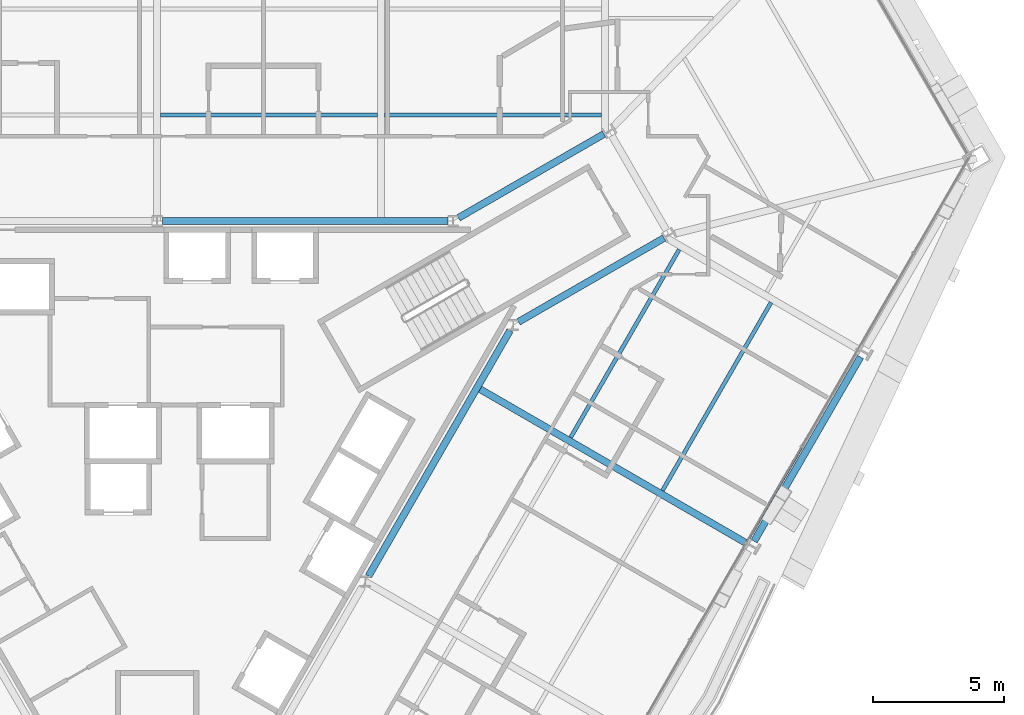
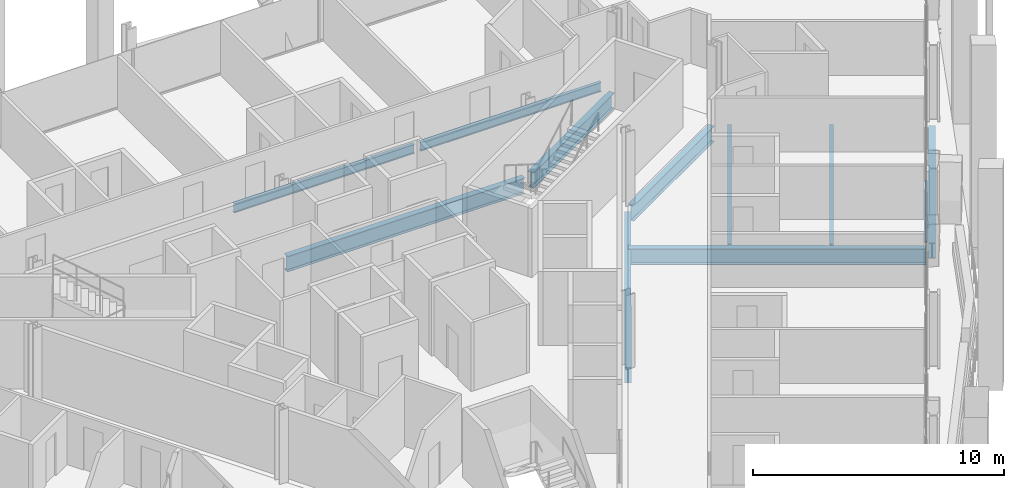
# One storey, part 9 of 21: 10 beams, 1 member, 1 element without a shape of its own.
"""IFC4 building model written with IfcOpenShell, lengths in metres."""

from ifc_helpers import new_model, si_unit, direction, frame, origin, origin_2d, place, context, subcontext, project, spatial, rectangle, i_section, extrude, material, material_profile, profile_set, type_object, element, aggregate, save


model = new_model("IFC4")

# Units and contexts
model_context = context("Model", 3, precision=1e-05, world=origin(), true_north=direction((0.0, 1.0)))
body_context = subcontext(model_context, "Body", "Model", "MODEL_VIEW")
ifc_project = project(units=[si_unit("LENGTHUNIT", "METRE"), si_unit("AREAUNIT", "SQUARE_METRE"), si_unit("VOLUMEUNIT", "CUBIC_METRE"), si_unit("PLANEANGLEUNIT", "RADIAN"), si_unit("MASSUNIT", "GRAM", prefix="KILO")], contexts=[model_context])

# Site, building, storey
site_placement = place(None, origin())
site = spatial("IfcSite", under=ifc_project, at=site_placement, CompositionType="ELEMENT")
building_placement = place(site_placement, origin())
building = spatial("IfcBuilding", under=site, at=building_placement, Name="Verrane Prism Tower", CompositionType="ELEMENT")
storey_placement = place(building_placement, frame((0.0, 0.0, 65.60009765625)))
storey = spatial("IfcBuildingStorey", under=building, at=storey_placement, Name="L14", CompositionType="ELEMENT", Elevation=65.60009765625)

# Beams
ifc_material_1 = material(Name="Steel A992", Category="steel")
ifc_material_profile_1 = material_profile(ifc_material_1, i_section(OverallWidth=0.2666015625, OverallDepth=0.7568359375, WebThickness=0.013916015625, FlangeThickness=0.019287109375, FilletRadius=0.0166015625, at=origin_2d()), Name="W30x108")
ifc_profile_set_1 = profile_set([ifc_material_profile_1], Name="Steel A992")
beam_type_1 = type_object("IfcBeamType", Name="Core ring girder W30x108", PredefinedType="BEAM", material=ifc_profile_set_1)
beam_1_placement = place(storey_placement, frame((13.833251953125, 5.337158203125, -0.628662109375), z_axis=(0.86646365882, 0.499240150574, 0.0), x_axis=(-0.499240150574, 0.86646365882, 0.0)))
element("IfcBeam", 1, at=beam_1_placement, inside=storey, type_object=beam_type_1, Name="Core ring girder L14", PredefinedType="BEAM", context=body_context, shape_type="SweptSolid", body=[
    extrude(i_section(OverallWidth=0.2666015625, OverallDepth=0.7568359375, WebThickness=0.013916015625, FlangeThickness=0.019287109375, FilletRadius=0.0166015625, at=origin_2d()), origin(), (0.0, 0.0, 1.0), 6.42822265625),
])
beam_2_placement = place(storey_placement, frame((17.10302734375, 12.526611328125, -0.628662109375), z_axis=(-0.866447229751, -0.499268663203, 0.0), x_axis=(0.499268663203, -0.866447229751, 0.0)))
element("IfcBeam", 2, at=beam_2_placement, inside=storey, type_object=beam_type_1, Name="Core ring girder L14", PredefinedType="BEAM", context=body_context, shape_type="SweptSolid", body=[
    extrude(i_section(OverallWidth=0.2666015625, OverallDepth=0.7568359375, WebThickness=0.013916015625, FlangeThickness=0.019287109375, FilletRadius=0.0166015625, at=origin_2d()), origin(), (0.0, 0.0, 1.0), 6.428466796875),
])
beam_3_placement = place(storey_placement, frame((11.126708984375, 9.199951171875, -0.628662109375), z_axis=(-1.0, 0.0, 0.0), x_axis=(0.0, -1.0, 0.0)))
element("IfcBeam", 3, at=beam_3_placement, inside=storey, type_object=beam_type_1, Name="Core ring girder L14", PredefinedType="BEAM", context=body_context, shape_type="SweptSolid", body=[
    extrude(i_section(OverallWidth=0.2666015625, OverallDepth=0.7568359375, WebThickness=0.013916015625, FlangeThickness=0.019287109375, FilletRadius=0.0166015625, at=origin_2d()), origin(), (0.0, 0.0, 1.0), 10.923583984375),
])
beam_4_placement = place(storey_placement, frame((8.090087890625, -4.3916015625, -0.628662109375), z_axis=(0.499371892062, 0.866387738498, 0.0), x_axis=(-0.866387738498, 0.499371892062, 0.0)))
element("IfcBeam", 4, at=beam_4_placement, inside=storey, type_object=beam_type_1, Name="Core ring girder L14", PredefinedType="BEAM", context=body_context, shape_type="SweptSolid", body=[
    extrude(i_section(OverallWidth=0.2666015625, OverallDepth=0.7568359375, WebThickness=0.013916015625, FlangeThickness=0.019287109375, FilletRadius=0.0166015625, at=origin_2d()), origin(), (0.0, 0.0, 1.0), 10.853515625),
])
ifc_material_2 = material(Name="Steel A992", Category="steel")
ifc_material_profile_2 = material_profile(ifc_material_2, i_section(OverallWidth=0.15234375, OverallDepth=0.449462890625, WebThickness=0.007568359375, FlangeThickness=0.0107421875, FilletRadius=0.01025390625, at=origin_2d()), Name="W18x35")
ifc_profile_set_2 = profile_set([ifc_material_profile_2], Name="Steel A992")
beam_type_2 = type_object("IfcBeamType", Name="Floor beam W18x35", PredefinedType="BEAM", material=ifc_profile_set_2)
beam_5_placement = place(storey_placement, frame((8.70361328125, 13.256591796875, -0.385009765625), z_axis=(1.0, 0.0, 0.0), x_axis=(0.0, 1.0, 0.0)))
element("IfcBeam", 5, at=beam_5_placement, inside=storey, type_object=beam_type_2, Name="Floor beam L14", PredefinedType="BEAM", context=body_context, shape_type="SweptSolid", body=[
    extrude(i_section(OverallWidth=0.15234375, OverallDepth=0.449462890625, WebThickness=0.007568359375, FlangeThickness=0.0107421875, FilletRadius=0.01025390625, at=origin_2d()), origin(), (0.0, 0.0, 1.0), 8.31298828125),
])
beam_6_placement = place(storey_placement, frame((0.133544921875, 13.256591796875, -0.385009765625), z_axis=(1.0, 0.0, 0.0), x_axis=(0.0, 1.0, 0.0)))
element("IfcBeam", 6, at=beam_6_placement, inside=storey, type_object=beam_type_2, Name="Floor beam L14", PredefinedType="BEAM", context=body_context, shape_type="SweptSolid", body=[
    extrude(i_section(OverallWidth=0.15234375, OverallDepth=0.449462890625, WebThickness=0.007568359375, FlangeThickness=0.0107421875, FilletRadius=0.01025390625, at=origin_2d()), origin(), (0.0, 0.0, 1.0), 8.302978515625),
])
beam_7_placement = place(storey_placement, frame((19.343505859375, -1.114501953125, -0.385009765625), z_axis=(0.499991203388, 0.866030482451, 0.0), x_axis=(-0.866030482451, 0.499991203388, 0.0)))
element("IfcBeam", 7, at=beam_7_placement, inside=storey, type_object=beam_type_2, Name="Floor beam L14", PredefinedType="BEAM", context=body_context, shape_type="SweptSolid", body=[
    extrude(i_section(OverallWidth=0.15234375, OverallDepth=0.449462890625, WebThickness=0.007568359375, FlangeThickness=0.0107421875, FilletRadius=0.01025390625, at=origin_2d()), origin(), (0.0, 0.0, 1.0), 8.309326171875),
])
beam_8_placement = place(storey_placement, frame((15.830078125, 0.91552734375, -0.385009765625), z_axis=(0.500002345008, 0.866024049889, 0.0), x_axis=(-0.866024049889, 0.500002345008, 0.0)))
element("IfcBeam", 8, at=beam_8_placement, inside=storey, type_object=beam_type_2, Name="Floor beam L14", PredefinedType="BEAM", context=body_context, shape_type="SweptSolid", body=[
    extrude(i_section(OverallWidth=0.15234375, OverallDepth=0.449462890625, WebThickness=0.007568359375, FlangeThickness=0.0107421875, FilletRadius=0.01025390625, at=origin_2d()), origin(), (0.0, 0.0, 1.0), 8.3056640625),
])
ifc_material_3 = material(Name="Steel A992", Category="steel")
ifc_material_profile_3 = material_profile(ifc_material_3, i_section(OverallWidth=0.2666015625, OverallDepth=0.76708984375, WebThickness=0.014892578125, FlangeThickness=0.023681640625, FilletRadius=0.0166015625, at=origin_2d()), Name="W30x124")
ifc_profile_set_3 = profile_set([ifc_material_profile_3], Name="Steel A992")
beam_type_3 = type_object("IfcBeamType", Name="Radial girder W30x124", PredefinedType="BEAM", material=ifc_profile_set_3)
beam_9_placement = place(storey_placement, frame((22.527099609375, -3.118408203125, -0.603515625), z_axis=(-0.865652398738, 0.500645507879, 0.0), x_axis=(-0.500645507879, -0.865652398738, 0.0)))
element("IfcBeam", 9, at=beam_9_placement, inside=storey, type_object=beam_type_3, Name="Radial girder L14", PredefinedType="BEAM", context=body_context, shape_type="SweptSolid", body=[
    extrude(i_section(OverallWidth=0.2666015625, OverallDepth=0.76708984375, WebThickness=0.014892578125, FlangeThickness=0.023681640625, FilletRadius=0.0166015625, at=origin_2d()), origin(), (0.0, 0.0, 1.0), 11.872314453125),
])
ifc_material_4 = material(Name="Steel A992", Category="steel")
ifc_material_profile_4 = material_profile(ifc_material_4, i_section(OverallWidth=0.2666015625, OverallDepth=0.7568359375, WebThickness=0.013916015625, FlangeThickness=0.019287109375, FilletRadius=0.0166015625, at=origin_2d()), Name="W30x108")
ifc_profile_set_4 = profile_set([ifc_material_profile_4], Name="Steel A992")
beam_type_4 = type_object("IfcBeamType", Name="Spandrel beam W30x108", PredefinedType="SPANDREL", material=ifc_profile_set_4)
beam_10_placement = place(storey_placement, frame((22.8505859375, -3.05615234375, -0.53857421875), z_axis=(0.49985664694, 0.866108152894, 0.0), x_axis=(-0.866108152894, 0.49985664694, 0.0)))
element("IfcBeam", 10, at=beam_10_placement, inside=storey, type_object=beam_type_4, Name="Spandrel beam L14", PredefinedType="SPANDREL", context=body_context, shape_type="SweptSolid", body=[
    extrude(i_section(OverallWidth=0.2666015625, OverallDepth=0.7568359375, WebThickness=0.013916015625, FlangeThickness=0.019287109375, FilletRadius=0.0166015625, at=origin_2d()), origin(), (0.0, 0.0, 1.0), 8.13720703125),
])

# Curtain wall, member
ifc_material_5 = material(Name="Aluminium framed insulated glazing", Category="aluminium")
curtain_wall_type = type_object("IfcCurtainWallType", Name="Curtain wall CW-C 4200 module", PredefinedType="NOTDEFINED", material=ifc_material_5)
curtain_wall_placement = place(storey_placement, origin())
curtain_wall = element("IfcCurtainWall", 11, at=curtain_wall_placement, inside=storey, type_object=curtain_wall_type, Name="Glazed curtain wall south-east face L14", PredefinedType="NOTDEFINED")
ifc_material_6 = material(Name="Aluminium alloy 6063-T6", Category="aluminium")
ifc_material_profile_5 = material_profile(ifc_material_6, rectangle(XDim=0.10009765625, YDim=0.050048828125, at=origin_2d()), Name="Transom 50x100 aluminium")
ifc_profile_set_5 = profile_set([ifc_material_profile_5], Name="Aluminium alloy 6063-T6")
member_type = type_object("IfcMemberType", Name="Transom 50x100 aluminium", PredefinedType="USERDEFINED", material=ifc_profile_set_5)
member_placement = place(storey_placement, frame((22.552490234375, -3.11962890625, 0.02490234375), z_axis=(0.500035923186, 0.86600466253, 0.0), x_axis=(-0.86600466253, 0.500035923186, 0.0)))
member = element("IfcMember", 12, at=member_placement, type_object=member_type, Name="CW14.6 transom 9", ObjectType="TRANSOM", PredefinedType="USERDEFINED", context=body_context, shape_type="SweptSolid", body=[
    extrude(rectangle(XDim=0.10009765625, YDim=0.050048828125, at=origin_2d()), origin(), (0.0, 0.0, 1.0), 4.224853515625),
])
aggregate(curtain_wall, [member])

save(model, "model.ifc")
